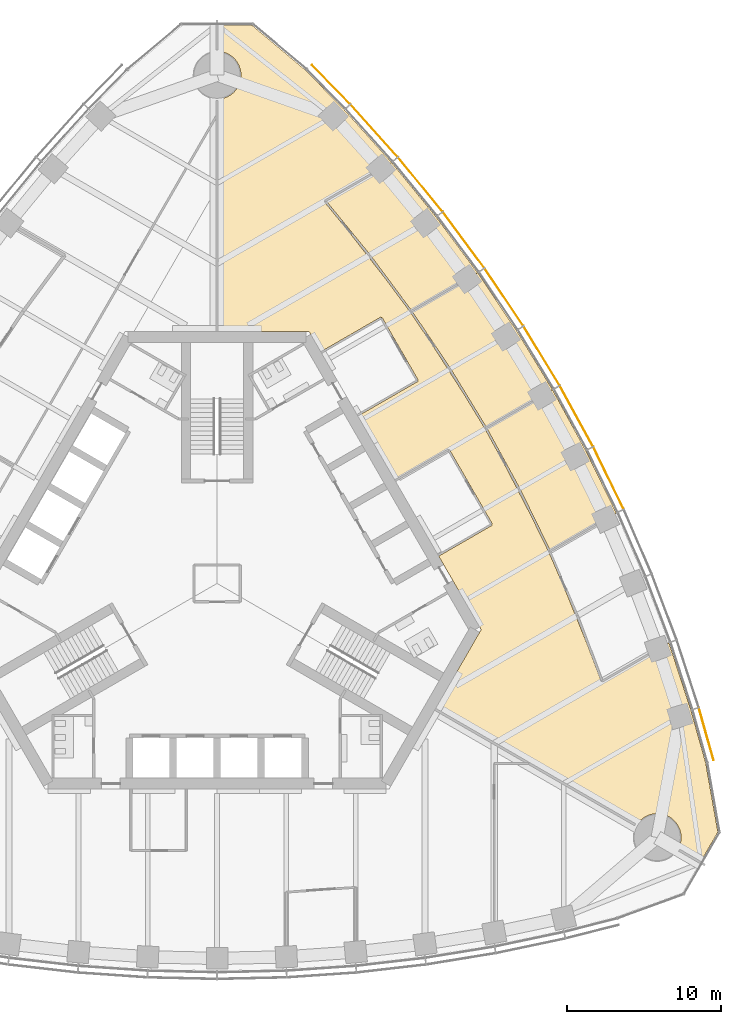
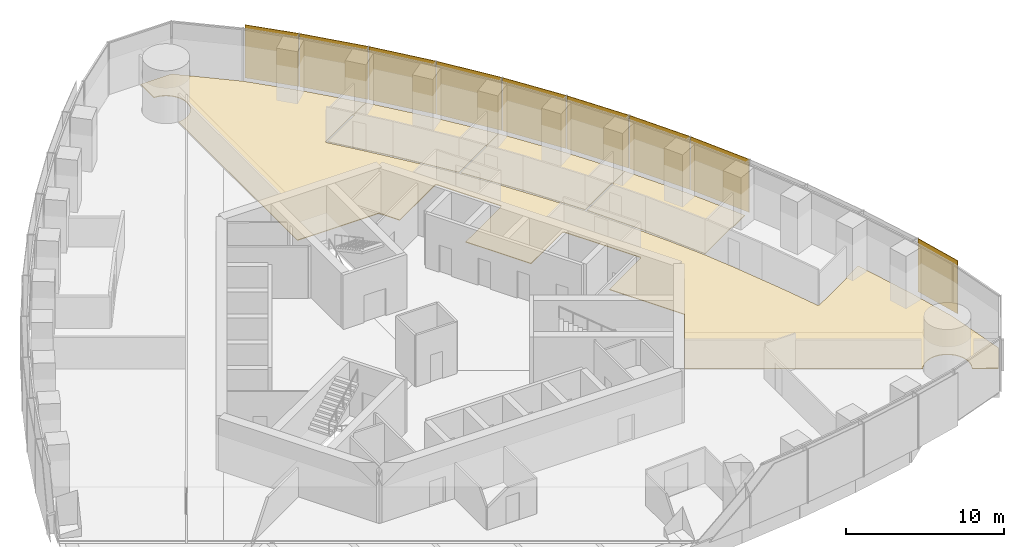
# One storey, part 17 of 19: 9 shading devices, 4 coverings.
"""IFC4 building model written with IfcOpenShell, lengths in metres."""

import ifcopenshell
import ifcopenshell.guid

model = None  # the IFC model being written
_history = None  # IfcOwnerHistory: only IFC2X3 demands one
_inside = {}  # id of a spatial element -> (the spatial element, [elements in it])
_under = {}  # id of a project, library or spatial element -> (it, [spatial elements below it])
_declared = {}  # id of a project -> (the project, [libraries it declares])
_typed = {}  # id of a type object -> (the type object, [elements of that type])
_made_of = {}  # id of a material, layer set ... -> (it, [elements and type objects made of it])


def new_model(schema):
    """Start an empty IFC model of exactly this schema.

    Asked for "IFC4X3", IfcOpenShell would pick the latest addendum, in which some entities
    have other attributes; the version numbers below select the first issue.
    IFC2X3 requires an IfcOwnerHistory on every rooted entity: one is made here for all.
    """
    global model, _history
    if schema == "IFC4X3":
        model = ifcopenshell.file(schema_version=(4, 3, 0, 0))
    else:
        model = ifcopenshell.file(schema=schema)
    _inside.clear()
    _under.clear()
    _declared.clear()
    _typed.clear()
    _made_of.clear()
    _history = None
    if model.schema == "IFC2X3":
        org = make("IfcOrganization", Name="unknown")
        user = make(
            "IfcPersonAndOrganization",
            ThePerson=make("IfcPerson", FamilyName="unknown"),
            TheOrganization=org,
        )
        app = make(
            "IfcApplication",
            ApplicationDeveloper=org,
            Version="unknown",
            ApplicationFullName="unknown",
            ApplicationIdentifier="unknown",
        )
        _history = make(
            "IfcOwnerHistory",
            OwningUser=user,
            OwningApplication=app,
            ChangeAction="ADDED",
            CreationDate=0,
        )
    return model


def make(cls, **values):
    """One entity of the class cls with the attributes given. An attribute that is None is left unset."""
    return model.create_entity(
        cls, **{name: value for name, value in values.items() if value is not None}
    )


def rooted(cls, **values):
    """An entity with a GlobalId (a new one), such as an element, a storey or a relation."""
    return make(cls, GlobalId=ifcopenshell.guid.new(), OwnerHistory=_history, **values)


def si_unit(unit_type, name, prefix=None):
    """IfcSIUnit, for example si_unit("LENGTHUNIT", "METRE", prefix="MILLI")."""
    return make("IfcSIUnit", UnitType=unit_type, Prefix=prefix, Name=name)


def assignment(units):
    """IfcUnitAssignment: the units of a project."""
    return None if units is None else make("IfcUnitAssignment", Units=units)


def point(xyz):
    """IfcCartesianPoint."""
    return None if xyz is None else make("IfcCartesianPoint", Coordinates=xyz)


def direction(xyz):
    """IfcDirection."""
    return None if xyz is None else make("IfcDirection", DirectionRatios=xyz)


def frame(location, z_axis=None, x_axis=None):
    """IfcAxis2Placement3D, a coordinate frame: its origin and axes. An axis left out is left unset."""
    return make(
        "IfcAxis2Placement3D",
        Location=point(location),
        Axis=direction(z_axis),
        RefDirection=direction(x_axis),
    )


def frame_2d(location, x_axis=None):
    """IfcAxis2Placement2D, a coordinate frame in the plane: its origin and x axis."""
    return make(
        "IfcAxis2Placement2D", Location=point(location), RefDirection=direction(x_axis)
    )


def origin():
    """The frame at (0, 0, 0) with its axes left unset."""
    return frame((0.0, 0.0, 0.0))


def origin_2d():
    """The frame at (0, 0) in the plane with its x axis left unset."""
    return frame_2d((0.0, 0.0))


def place(relative_to, where):
    """IfcLocalPlacement: puts the frame where relative to a parent placement (None: the world)."""
    return make(
        "IfcLocalPlacement", PlacementRelTo=relative_to, RelativePlacement=where
    )


def context(
    kind, dimensions, precision=None, world=None, true_north=None, identifier=None
):
    """IfcGeometricRepresentationContext, for example the 3D "Model" context."""
    return make(
        "IfcGeometricRepresentationContext",
        ContextIdentifier=identifier,
        ContextType=kind,
        CoordinateSpaceDimension=dimensions,
        Precision=precision,
        WorldCoordinateSystem=world,
        TrueNorth=true_north,
    )


def subcontext(parent, identifier, kind, view, scale=None):
    """IfcGeometricRepresentationSubContext, for example "Body" below "Model"."""
    return make(
        "IfcGeometricRepresentationSubContext",
        ContextIdentifier=identifier,
        ContextType=kind,
        ParentContext=parent,
        TargetScale=scale,
        TargetView=view,
    )


def project(units=None, contexts=None):
    """IfcProject with its units and contexts."""
    return rooted(
        "IfcProject",
        Name="project",
        RepresentationContexts=contexts,
        UnitsInContext=assignment(units),
    )


def spatial(cls, under=None, at=None, **own):
    """A site, building, storey or space (cls), placed at a placement, below another one or the project."""
    s = rooted(cls, ObjectPlacement=at, **own)
    if under is not None:
        _under.setdefault(under.id(), (under, []))[1].append(s)
    return s


def polyline(points):
    """IfcPolyline through the points."""
    return make("IfcPolyline", Points=[point(p) for p in points])


def profile(cls, at=None, kind="AREA", **sizes):
    """A parametric profile (cls). Its sizes go by their IFC names, for example OverallWidth=200.0."""
    return make(cls, ProfileType=kind, Position=at, **sizes)


def rectangle(**sizes):
    """IfcRectangleProfileDef."""
    return profile("IfcRectangleProfileDef", **sizes)


def outline(outer, holes=None, kind="AREA"):
    """IfcArbitraryClosedProfileDef: a profile drawn as a closed curve; with holes, ...WithVoids."""
    if holes is None:
        return make("IfcArbitraryClosedProfileDef", ProfileType=kind, OuterCurve=outer)
    return make(
        "IfcArbitraryProfileDefWithVoids",
        ProfileType=kind,
        OuterCurve=outer,
        InnerCurves=holes,
    )


def extrude(swept, where, along, depth):
    """IfcExtrudedAreaSolid: the profile swept, set in the frame where, extruded along a direction by depth."""
    return make(
        "IfcExtrudedAreaSolid",
        SweptArea=swept,
        Position=where,
        ExtrudedDirection=direction(along),
        Depth=depth,
    )


def shape(context_of_items, identifier, shape_type, items):
    """IfcShapeRepresentation: the items that make up one representation, for example the "Body"."""
    return make(
        "IfcShapeRepresentation",
        ContextOfItems=context_of_items,
        RepresentationIdentifier=identifier,
        RepresentationType=shape_type,
        Items=items,
    )


def material(Name=None, Category=None):
    """IfcMaterial."""
    return make("IfcMaterial", Name=Name, Category=Category)


def layer(
    of_material, thickness, ventilated=None, Name=None, Category=None, Priority=None
):
    """IfcMaterialLayer: one layer of a wall or slab, of a material (None: an air gap)."""
    return make(
        "IfcMaterialLayer",
        Material=of_material,
        LayerThickness=thickness,
        IsVentilated=ventilated,
        Name=Name,
        Category=Category,
        Priority=Priority,
    )


def layer_set(layers, Name=None):
    """IfcMaterialLayerSet."""
    return make("IfcMaterialLayerSet", MaterialLayers=layers, LayerSetName=Name)


def made_of(thing, what):
    """Note that an element or type object is made of a material, layer set ...; save() writes the relation."""
    if what is not None:
        _made_of.setdefault(what.id(), (what, []))[1].append(thing)
    return thing


def type_object(cls, material=None, **own):
    """A type object (cls), such as IfcWallType, which elements share."""
    return made_of(rooted(cls, **own), material)


def element(
    cls,
    number,
    at=None,
    inside=None,
    cuts=None,
    type_object=None,
    material=None,
    context=None,
    identifier="Body",
    shape_type=None,
    held_by="IfcProductDefinitionShape",
    body=None,
    shapes=None,
    **own,
):
    """One element of the class cls, such as IfcWall. Its Tag is "e" and its number.

    at: its placement. inside: the storey or other place that contains it. cuts: it is an
    opening in that element (IfcRelVoidsElement). A single representation is given by context,
    identifier, shape_type and body (its items); several are given by shapes. held_by: the class
    of the entity that holds the representations. save() writes the other relations.
    """
    e = rooted(cls, Tag="e%d" % number, ObjectPlacement=at, **own)
    if body is not None:
        shapes = [shape(context, identifier, shape_type, body)]
    if shapes is not None:
        e.Representation = make(held_by, Representations=shapes)
    if inside is not None:
        _inside.setdefault(inside.id(), (inside, []))[1].append(e)
    if cuts is not None:
        rooted(
            "IfcRelVoidsElement", RelatingBuildingElement=cuts, RelatedOpeningElement=e
        )
    if type_object is not None:
        _typed.setdefault(type_object.id(), (type_object, []))[1].append(e)
    return made_of(e, material)


def aggregate(whole, parts):
    """IfcRelAggregates: a whole, such as a stair, and the parts it consists of."""
    return rooted("IfcRelAggregates", RelatingObject=whole, RelatedObjects=parts)


def save(model, path):
    """Write the relations noted so far, then the file.

    IfcRelAggregates (storeys below a building ...), IfcRelContainedInSpatialStructure (elements
    in a storey), IfcRelDefinesByType, IfcRelAssociatesMaterial and IfcRelDeclares: one each for
    every whole, place, type object, material and project.
    """
    for whole, parts in _under.values():
        aggregate(whole, parts)
    for where, things in _inside.values():
        rooted(
            "IfcRelContainedInSpatialStructure",
            RelatedElements=things,
            RelatingStructure=where,
        )
    for kind, things in _typed.values():
        rooted("IfcRelDefinesByType", RelatedObjects=things, RelatingType=kind)
    for what, things in _made_of.values():
        rooted("IfcRelAssociatesMaterial", RelatedObjects=things, RelatingMaterial=what)
    for by, libraries in _declared.values():
        rooted("IfcRelDeclares", RelatingContext=by, RelatedDefinitions=libraries)
    model.write(path)


model = new_model("IFC4")

# Units and contexts
model_context = context("Model", 3, precision=1e-05, world=origin(), true_north=direction((0.0, 1.0)))
body_context = subcontext(model_context, "Body", "Model", "MODEL_VIEW")
ifc_project = project(units=[si_unit("LENGTHUNIT", "METRE"), si_unit("AREAUNIT", "SQUARE_METRE"), si_unit("VOLUMEUNIT", "CUBIC_METRE"), si_unit("PLANEANGLEUNIT", "RADIAN"), si_unit("MASSUNIT", "GRAM", prefix="KILO")], contexts=[model_context])

# Site, building, storey
site_placement = place(None, origin())
site = spatial("IfcSite", under=ifc_project, at=site_placement, CompositionType="ELEMENT")
building_placement = place(site_placement, origin())
building = spatial("IfcBuilding", under=site, at=building_placement, Name="Trefoil Bronze Tower", CompositionType="ELEMENT")
storey_placement = place(building_placement, frame((0.0, 0.0, 256.89990234375)))
storey = spatial("IfcBuildingStorey", under=building, at=storey_placement, Name="L59", CompositionType="ELEMENT", Elevation=256.89990234375)

# Shading devices
ifc_material_1 = material(Name="Perforated bronze sheet", Category="bronze")
ifc_layer_1 = layer(ifc_material_1, 0.0400390625)
ifc_layer_set_1 = layer_set([ifc_layer_1], Name="Bronze solar screen panel")
shading_device_type = type_object("IfcShadingDeviceType", Name="Bronze solar screen panel", PredefinedType="SHUTTER", material=ifc_layer_set_1)
shading_device_1_placement = place(storey_placement, frame((31.764892578125, -9.7890625, 0.050048828125), z_axis=(0.0, 0.0, 1.0), x_axis=(-0.270282222968, 0.962781138134, 0.0)))
element("IfcShadingDevice", 1, at=shading_device_1_placement, inside=storey, type_object=shading_device_type, Name="Solar screen CW-A L59 F2 bay 1", PredefinedType="SHUTTER", context=body_context, shape_type="SweptSolid", body=[
    extrude(rectangle(XDim=3.53369140625, YDim=0.0400390625, at=origin_2d()), origin(), (0.0, 0.0, 1.0), 4.10009765625),
])
shading_device_2_placement = place(storey_placement, frame((25.4169921875, 6.83740234375, 0.050048828125), z_axis=(0.0, 0.0, 1.0), x_axis=(-0.439129033334, 0.898424004623, 0.0)))
element("IfcShadingDevice", 2, at=shading_device_2_placement, inside=storey, type_object=shading_device_type, Name="Solar screen CW-A L59 F2 bay 5", PredefinedType="SHUTTER", context=body_context, shape_type="SweptSolid", body=[
    extrude(rectangle(XDim=4.480712890625, YDim=0.0400390625, at=origin_2d()), origin(), (0.0, 0.0, 1.0), 4.10009765625),
])
for number, where, z_axis, x_axis, name in (
    (3, (23.3349609375, 10.860107421875, 0.050048828125), (0.0, 0.0, 1.0), (-0.479974003504, 0.877282711536, 0.0), "Solar screen CW-A L59 F2 bay 6"),
    (4, (21.07275390625, 14.77880859375, 0.050048828125), (0.0, 0.0, 1.0), (-0.519762112739, 0.854311035959, 0.0), "Solar screen CW-A L59 F2 bay 7"),
):
    element("IfcShadingDevice", number, at=place(storey_placement, frame(where, z_axis=z_axis, x_axis=x_axis)), inside=storey, type_object=shading_device_type, Name=name, PredefinedType="SHUTTER", context=body_context, shape_type="SweptSolid", body=[
        extrude(rectangle(XDim=4.47119140625, YDim=0.0400390625, at=origin_2d()), origin(), (0.0, 0.0, 1.0), 4.10009765625),
    ])
shading_device_3_placement = place(storey_placement, frame((18.6298828125, 18.59326171875, 0.050048828125), z_axis=(0.0, 0.0, 1.0), x_axis=(-0.558493494706, 0.829508900718, 0.0)))
element("IfcShadingDevice", 5, at=shading_device_3_placement, inside=storey, type_object=shading_device_type, Name="Solar screen CW-A L59 F2 bay 8", PredefinedType="SHUTTER", context=body_context, shape_type="SweptSolid", body=[
    extrude(rectangle(XDim=4.480712890625, YDim=0.0400390625, at=origin_2d()), origin(), (0.0, 0.0, 1.0), 4.10009765625),
])
shading_device_4_placement = place(storey_placement, frame((16.005615234375, 22.302734375, 0.050048828125), z_axis=(0.0, 0.0, 1.0), x_axis=(-0.596161525977, 0.802864518425, 0.0)))
element("IfcShadingDevice", 6, at=shading_device_4_placement, inside=storey, type_object=shading_device_type, Name="Solar screen CW-A L59 F2 bay 9", PredefinedType="SHUTTER", context=body_context, shape_type="SweptSolid", body=[
    extrude(rectangle(XDim=4.5, YDim=0.0400390625, at=origin_2d()), origin(), (0.0, 0.0, 1.0), 4.10009765625),
])
shading_device_5_placement = place(storey_placement, frame((13.197509765625, 25.90625, 0.050048828125), z_axis=(0.0, 0.0, 1.0), x_axis=(-0.63275261301, 0.774354008661, 0.0)))
element("IfcShadingDevice", 7, at=shading_device_5_placement, inside=storey, type_object=shading_device_type, Name="Solar screen CW-A L59 F2 bay 10", PredefinedType="SHUTTER", context=body_context, shape_type="SweptSolid", body=[
    extrude(rectangle(XDim=4.529296875, YDim=0.0400390625, at=origin_2d()), origin(), (0.0, 0.0, 1.0), 4.10009765625),
])
shading_device_6_placement = place(storey_placement, frame((10.20166015625, 29.401611328125, 0.050048828125), z_axis=(0.0, 0.0, 1.0), x_axis=(-0.668245744076, 0.743940606181, 0.0)))
element("IfcShadingDevice", 8, at=shading_device_6_placement, inside=storey, type_object=shading_device_type, Name="Solar screen CW-A L59 F2 bay 11", PredefinedType="SHUTTER", context=body_context, shape_type="SweptSolid", body=[
    extrude(rectangle(XDim=4.5693359375, YDim=0.0400390625, at=origin_2d()), origin(), (0.0, 0.0, 1.0), 4.10009765625),
])
shading_device_7_placement = place(storey_placement, frame((7.40478515625, 32.40380859375, 0.050048828125), z_axis=(0.0, 0.0, 1.0), x_axis=(-0.698651812425, 0.715461840349, 0.0)))
element("IfcShadingDevice", 9, at=shading_device_7_placement, inside=storey, type_object=shading_device_type, Name="Solar screen CW-A L59 F2 bay 12", PredefinedType="SHUTTER", context=body_context, shape_type="SweptSolid", body=[
    extrude(rectangle(XDim=3.53369140625, YDim=0.0400390625, at=origin_2d()), origin(), (0.0, 0.0, 1.0), 4.10009765625),
])

# Coverings
ifc_material_2 = material(Name="Raised access floor panels", Category="steel")
ifc_layer_2 = layer(ifc_material_2, 0.050048828125)
ifc_layer_set_2 = layer_set([ifc_layer_2], Name="Raised access floor 150")
covering_type = type_object("IfcCoveringType", Name="Raised access floor 150", PredefinedType="FLOORING", material=ifc_layer_set_2)
covering_1_placement = place(storey_placement, frame((0.0, 0.0, 0.10009765625)))
element("IfcCovering", 10, at=covering_1_placement, inside=storey, type_object=covering_type, Name="Raised floor L59 Executive office F2", PredefinedType="FLOORING", context=body_context, shape_type="SweptSolid", body=[
    extrude(outline(polyline([(16.92236328125, 20.162353515625), (15.591796875, 19.394287109375), (15.561767578125, 19.446044921875), (12.6083984375, 17.7412109375), (9.939697265625, 21.335205078125), (9.8916015625, 21.29931640625), (9.93798828125, 21.33740234375), (7.097900390625, 24.813232421875), (10.01904296875, 26.499755859375), (9.989013671875, 26.5517578125), (11.3369140625, 27.329833984375), (14.2216796875, 23.79931640625), (16.92236328125, 20.162353515625)])), origin(), (0.0, 0.0, 1.0), 0.050048828125),
])
covering_2_placement = place(storey_placement, frame((0.0, 0.0, 0.10009765625)))
element("IfcCovering", 11, at=covering_2_placement, inside=storey, type_object=covering_type, Name="Raised floor L59 Executive office F2", PredefinedType="FLOORING", context=body_context, shape_type="SweptSolid", body=[
    extrude(outline(polyline([(19.44140625, 16.420654296875), (21.781005859375, 12.5751953125), (20.4560546875, 11.810302734375), (20.426025390625, 11.8623046875), (17.4716796875, 10.156494140625), (15.16259765625, 13.951904296875), (15.111328125, 13.920654296875), (15.1611328125, 13.9541015625), (12.677978515625, 17.642578125), (15.62158203125, 19.34228515625), (15.591796875, 19.394287109375), (16.92236328125, 20.162353515625), (19.44140625, 16.420654296875)])), origin(), (0.0, 0.0, 1.0), 0.050048828125),
])
covering_3_placement = place(storey_placement, frame((0.0, 0.0, 0.10009765625)))
element("IfcCovering", 12, at=covering_3_placement, inside=storey, type_object=covering_type, Name="Raised floor L59 Executive office F2", PredefinedType="FLOORING", context=body_context, shape_type="SweptSolid", body=[
    extrude(outline(polyline([(23.94140625, 8.62646484375), (25.92236328125, 4.573974609375), (24.591796875, 3.8056640625), (24.561767578125, 3.857666015625), (21.617919921875, 2.158203125), (19.665283203125, 6.15283203125), (19.611328125, 6.12646484375), (19.6640625, 6.1552734375), (17.53173828125, 10.052734375), (20.486083984375, 11.75830078125), (20.4560546875, 11.810302734375), (21.781005859375, 12.5751953125), (23.94140625, 8.62646484375)])), origin(), (0.0, 0.0, 1.0), 0.050048828125),
])
covering_4_placement = place(storey_placement, frame((0.0, 0.0, 0.10009765625)))
element("IfcCovering", 13, at=covering_4_placement, inside=storey, type_object=covering_type, Name="Raised floor L59 PA area F2", PredefinedType="FLOORING", context=body_context, shape_type="SweptSolid", body=[
    extrude(outline(polyline([(8.26318359375, 30.751708984375), (11.3369140625, 27.329833984375), (9.989013671875, 26.5517578125), (9.958984375, 26.603759765625), (6.976806640625, 24.8818359375), (7.006591796875, 24.829833984375), (6.960205078125, 24.7919921875), (8.60205078125, 22.78271484375), (11.007080078125, 19.6962890625), (12.543212890625, 17.627685546875), (14.000732421875, 15.462890625), (16.04541015625, 12.270263671875), (17.39892578125, 10.04541015625), (18.64892578125, 7.760498046875), (20.3916015625, 4.3935546875), (21.53759765625, 2.048828125), (22.56103515625, -0.315673828125), (24.031494140625, -3.94189453125), (24.95068359375, -6.368408203125), (25.006591796875, -6.346923828125), (25.03662109375, -6.39892578125), (28.01904296875, -4.677001953125), (27.989013671875, -4.625244140625), (29.3369140625, -3.846923828125), (30.76318359375, -8.219482421875), (31.7265625, -11.650634765625), (32.518310546875, -16.1416015625), (31.385009765625, -18.1044921875), (29.92724609375, -17.263427734375), (29.94580078125, -17.230712890625), (29.97998046875, -17.16259765625), (30.010986328125, -17.09326171875), (30.0380859375, -17.022216796875), (30.06201171875, -16.949951171875), (30.08251953125, -16.876708984375), (30.09912109375, -16.802490234375), (30.112060546875, -16.727294921875), (30.121337890625, -16.65185546875), (30.126953125, -16.576171875), (30.12890625, -16.5), (30.126953125, -16.423828125), (30.121337890625, -16.34814453125), (30.112060546875, -16.272705078125), (30.09912109375, -16.197509765625), (30.08251953125, -16.123291015625), (30.06201171875, -16.050048828125), (30.0380859375, -15.977783203125), (30.010986328125, -15.90673828125), (29.97998046875, -15.83740234375), (29.94580078125, -15.769287109375), (29.908203125, -15.703125), (29.86767578125, -15.638916015625), (29.82373046875, -15.57666015625), (29.777099609375, -15.5166015625), (29.727294921875, -15.458984375), (29.6748046875, -15.404052734375), (29.619873046875, -15.3515625), (29.56201171875, -15.3017578125), (29.502197265625, -15.2548828125), (29.43994140625, -15.211181640625), (29.375732421875, -15.17041015625), (29.3095703125, -15.133056640625), (29.241455078125, -15.098876953125), (29.172119140625, -15.068115234375), (29.10107421875, -15.04052734375), (29.02880859375, -15.0166015625), (28.95556640625, -14.99658203125), (28.881103515625, -14.979736328125), (28.806396484375, -14.966796875), (28.730712890625, -14.95751953125), (28.65478515625, -14.951904296875), (28.578857421875, -14.949951171875), (28.502685546875, -14.951904296875), (28.427001953125, -14.95751953125), (28.351318359375, -14.966796875), (28.2763671875, -14.979736328125), (28.2021484375, -14.99658203125), (28.12890625, -15.0166015625), (28.056640625, -15.04052734375), (27.985595703125, -15.068115234375), (27.916015625, -15.098876953125), (27.84814453125, -15.133056640625), (27.781982421875, -15.17041015625), (27.7177734375, -15.211181640625), (27.655517578125, -15.2548828125), (27.595458984375, -15.3017578125), (27.537841796875, -15.3515625), (27.48291015625, -15.404052734375), (27.430419921875, -15.458984375), (27.380615234375, -15.5166015625), (27.333984375, -15.57666015625), (27.2900390625, -15.638916015625), (27.24267578125, -15.71484375), (14.16259765625, -8.169677734375), (17.147216796875, -3.0), (14.391357421875, 1.773193359375), (17.85546875, 3.773193359375), (17.825439453125, 3.8251953125), (17.87744140625, 3.855224609375), (15.077392578125, 8.705078125), (15.025390625, 8.675048828125), (14.99560546875, 8.72705078125), (11.531494140625, 6.72705078125), (9.141357421875, 10.86669921875), (13.03857421875, 13.11669921875), (13.008544921875, 13.16845703125), (13.060546875, 13.198486328125), (10.71044921875, 17.268798828125), (10.65869140625, 17.23876953125), (10.628662109375, 17.290771484375), (6.7314453125, 15.040771484375), (5.9755859375, 16.35009765625), (0.006103515625, 16.35009765625), (0.01171875, 31.4501953125), (0.076171875, 31.451904296875), (0.15185546875, 31.45751953125), (0.227294921875, 31.466796875), (0.302490234375, 31.479736328125), (0.376708984375, 31.49658203125), (0.449951171875, 31.5166015625), (0.522216796875, 31.54052734375), (0.59326171875, 31.568115234375), (0.66259765625, 31.598876953125), (0.730712890625, 31.633056640625), (0.796875, 31.67041015625), (0.861083984375, 31.711181640625), (0.92333984375, 31.7548828125), (0.9833984375, 31.8017578125), (1.041015625, 31.8515625), (1.095947265625, 31.904052734375), (1.1484375, 31.958984375), (1.1982421875, 32.0166015625), (1.2451171875, 32.07666015625), (1.288818359375, 32.138916015625), (1.32958984375, 32.203125), (1.366943359375, 32.269287109375), (1.401123046875, 32.33740234375), (1.431884765625, 32.40673828125), (1.45947265625, 32.477783203125), (1.4833984375, 32.550048828125), (1.50341796875, 32.623291015625), (1.520263671875, 32.697509765625), (1.533203125, 32.772705078125), (1.54248046875, 32.84814453125), (1.548095703125, 32.923828125), (1.550048828125, 33.0), (1.548095703125, 33.076171875), (1.54248046875, 33.15185546875), (1.533203125, 33.227294921875), (1.520263671875, 33.302490234375), (1.50341796875, 33.376708984375), (1.4833984375, 33.449951171875), (1.45947265625, 33.522216796875), (1.431884765625, 33.59326171875), (1.401123046875, 33.66259765625), (1.366943359375, 33.730712890625), (1.32958984375, 33.796875), (1.288818359375, 33.861083984375), (1.2451171875, 33.92333984375), (1.1982421875, 33.9833984375), (1.1484375, 34.041015625), (1.095947265625, 34.095947265625), (1.041015625, 34.1484375), (0.9833984375, 34.1982421875), (0.92333984375, 34.2451171875), (0.861083984375, 34.288818359375), (0.796875, 34.32958984375), (0.730712890625, 34.366943359375), (0.66259765625, 34.401123046875), (0.59326171875, 34.431884765625), (0.522216796875, 34.45947265625), (0.449951171875, 34.4833984375), (0.376708984375, 34.50341796875), (0.302490234375, 34.520263671875), (0.227294921875, 34.533203125), (0.15185546875, 34.54248046875), (0.076171875, 34.548095703125), (0.012939453125, 34.5498046875), (0.013671875, 36.232666015625), (2.280029296875, 36.232666015625), (5.7734375, 33.30126953125), (8.26318359375, 30.751708984375)])), origin(), (0.0, 0.0, 1.0), 0.050048828125),
])

save(model, "model.ifc")
